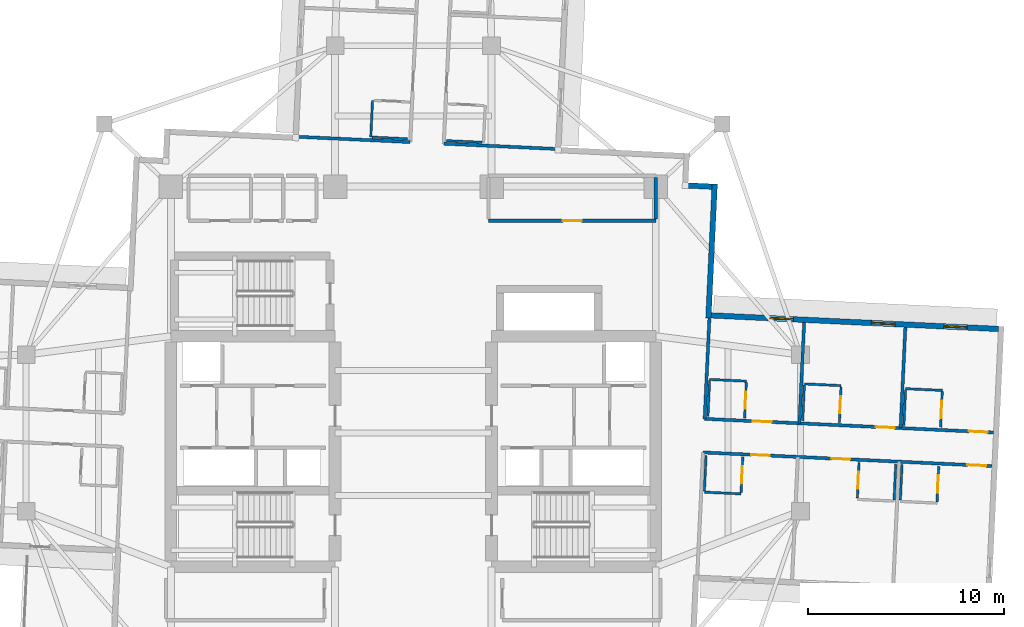
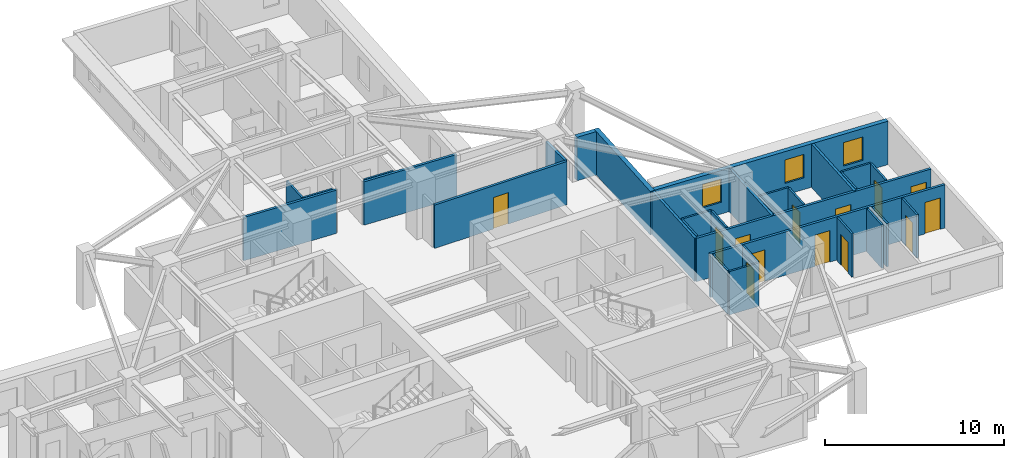
# One storey, part 7 of 14: 31 walls, 13 doors, 3 windows, 16 openings.
"""IFC4 building model written with IfcOpenShell, lengths in metres."""

from ifc_helpers import new_model, si_unit, direction, frame, frame_2d, origin, place, context, subcontext, project, spatial, rectangle, extrude, material, layer, layer_set, type_object, element, fill, save


model = new_model("IFC4")

# Units and contexts
model_context = context("Model", 3, precision=1e-05, world=origin(), true_north=direction((0.0, 1.0)))
body_context = subcontext(model_context, "Body", "Model", "MODEL_VIEW")
ifc_project = project(units=[si_unit("LENGTHUNIT", "METRE"), si_unit("AREAUNIT", "SQUARE_METRE"), si_unit("VOLUMEUNIT", "CUBIC_METRE"), si_unit("PLANEANGLEUNIT", "RADIAN"), si_unit("MASSUNIT", "GRAM", prefix="KILO")], contexts=[model_context])

# Site, building, storey
site_placement = place(None, origin())
site = spatial("IfcSite", under=ifc_project, at=site_placement, CompositionType="ELEMENT")
building_placement = place(site_placement, origin())
building = spatial("IfcBuilding", under=site, at=building_placement, Name="Qingluan Cross Belvedere", CompositionType="ELEMENT")
storey_placement = place(building_placement, frame((0.0, 0.0, 156.60009765625)))
storey = spatial("IfcBuildingStorey", under=building, at=storey_placement, Name="L39", CompositionType="ELEMENT", Elevation=156.60009765625)

# Wall, opening, door
ifc_material_1 = material(Name="Gypsum plasterboard on steel stud acoustic partition", Category="steel")
ifc_layer_1 = layer(ifc_material_1, 0.159912109375, Name="CorridorPartition_160")
ifc_layer_set_1 = layer_set([ifc_layer_1], Name="Gypsum plasterboard on steel stud acoustic partition")
wall_type_1 = type_object("IfcWallType", Name="CorridorPartition_160", PredefinedType="PARTITIONING", material=ifc_layer_set_1)
wall_1_placement = place(storey_placement, frame((3.85009765625, 10.85009765625, 0.0), z_axis=(0.0, 0.0, 1.0), x_axis=(1.0, 0.0, 0.0)))
wall_1 = element("IfcWall", 1, at=wall_1_placement, inside=storey, type_object=wall_type_1, Name="Partition L39:q_ne:S", PredefinedType="PARTITIONING", context=body_context, shape_type="SweptSolid", body=[
    extrude(rectangle(XDim=8.5498046875, YDim=0.159912109375, at=frame_2d((4.27490234375, 0.0))), origin(), (0.0, 0.0, 1.0), 2.9599609375),
])
opening_1_placement = place(wall_1_placement, frame((3.794921875, 0.0, 0.0)))
opening_1 = element("IfcOpeningElement", 2, at=opening_1_placement, cuts=wall_1, Name="Opening GD-10", PredefinedType="OPENING", context=body_context, shape_type="SweptSolid", body=[
    extrude(rectangle(XDim=0.9599609375, YDim=2.14990234375, at=frame_2d((0.47998046875, 1.074951171875))), frame((0.0, 0.08984375, 0.0), z_axis=(0.0, -1.0, 0.0), x_axis=(1.0, 0.0, 0.0)), (0.0, 0.0, 1.0), 0.179931640625),
])
ifc_material_2 = material(Name="Timber oak fire-rated acoustic guestroom door", Category="wood")
door_type_1 = type_object("IfcDoorType", Name="GuestEntryDoor_FD60", OperationType="NOTDEFINED", PredefinedType="DOOR", material=ifc_material_2)
door_1_placement = place(opening_1_placement, origin())
door_1 = element("IfcDoor", 3, at=door_1_placement, inside=storey, type_object=door_type_1, Name="Yangtze view dining salon L39 door", OperationType="SINGLE_SWING_LEFT", OverallHeight=2.14990234375, OverallWidth=0.9599609375, PredefinedType="DOOR", context=body_context, shape_type="SweptSolid", body=[
    extrude(rectangle(XDim=0.9599609375, YDim=2.14990234375, at=frame_2d((0.47998046875, 1.074951171875))), frame((0.0, 0.02490234375, 0.0), z_axis=(0.0, -1.0, 0.0), x_axis=(1.0, 0.0, 0.0)), (0.0, 0.0, 1.0), 0.050048828125),
])
fill(opening_1, door_1)

# Wall
wall_2_placement = place(storey_placement, frame((12.39990234375, 10.93505859375, 0.0), z_axis=(0.0, 0.0, 1.0), x_axis=(0.0, 1.0, 0.0)))
element("IfcWall", 4, at=wall_2_placement, inside=storey, type_object=wall_type_1, Name="Partition L39:q_ne:E", PredefinedType="PARTITIONING", context=body_context, shape_type="SweptSolid", body=[
    extrude(rectangle(XDim=2.1298828125, YDim=0.159912109375, at=frame_2d((1.06494140625, 0.0))), origin(), (0.0, 0.0, 1.0), 2.9599609375),
])

# Wall, openings, doors
wall_3_placement = place(storey_placement, frame((14.900390625, 0.718994140625, 0.0), z_axis=(0.0, 0.0, 1.0), x_axis=(0.99889000272, -0.04710374153, 0.0)))
wall_3 = element("IfcWall", 5, at=wall_3_placement, inside=storey, type_object=wall_type_1, Name="Partition L39:E:c0", PredefinedType="PARTITIONING", context=body_context, shape_type="SweptSolid", body=[
    extrude(rectangle(XDim=14.781982421875, YDim=0.159912109375, at=frame_2d((7.39111328125, 0.0))), origin(), (0.0, 0.0, 1.0), 2.9599609375),
])
opening_2_placement = place(wall_3_placement, frame((2.465087890625, 0.0, 0.0)))
opening_2 = element("IfcOpeningElement", 6, at=opening_2_placement, cuts=wall_3, Name="Opening GD-10", PredefinedType="OPENING", context=body_context, shape_type="SweptSolid", body=[
    extrude(rectangle(XDim=0.9599609375, YDim=2.14990234375, at=frame_2d((0.47998046875, 1.074951171875))), frame((0.0, 0.08984375, 0.0), z_axis=(0.0, -1.0, 0.0), x_axis=(1.0, 0.0, 0.0)), (0.0, 0.0, 1.0), 0.179931640625),
])
opening_3_placement = place(wall_3_placement, frame((8.77294921875, 0.0, 0.0)))
opening_3 = element("IfcOpeningElement", 7, at=opening_3_placement, cuts=wall_3, Name="Opening GD-10", PredefinedType="OPENING", context=body_context, shape_type="SweptSolid", body=[
    extrude(rectangle(XDim=0.9599609375, YDim=2.14990234375, at=frame_2d((0.47998046875, 1.074951171875))), frame((0.0, 0.08984375, 0.0), z_axis=(0.0, -1.0, 0.0), x_axis=(1.0, 0.0, 0.0)), (0.0, 0.0, 1.0), 0.179931640625),
])
opening_4_placement = place(wall_3_placement, frame((13.530029296875, 0.0, 0.0)))
opening_4 = element("IfcOpeningElement", 8, at=opening_4_placement, cuts=wall_3, Name="Opening GD-10", PredefinedType="OPENING", context=body_context, shape_type="SweptSolid", body=[
    extrude(rectangle(XDim=0.9599609375, YDim=2.14990234375, at=frame_2d((0.47998046875, 1.074951171875))), frame((0.0, 0.08984375, 0.0), z_axis=(0.0, -1.0, 0.0), x_axis=(1.0, 0.0, 0.0)), (0.0, 0.0, 1.0), 0.179931640625),
])
door_2_placement = place(opening_2_placement, origin())
door_2 = element("IfcDoor", 9, at=door_2_placement, inside=storey, type_object=door_type_1, Name="Guest entry fire door 3901", OperationType="SINGLE_SWING_RIGHT", OverallHeight=2.14990234375, OverallWidth=0.9599609375, PredefinedType="DOOR", context=body_context, shape_type="SweptSolid", body=[
    extrude(rectangle(XDim=0.9599609375, YDim=2.14990234375, at=frame_2d((0.47998046875, 1.074951171875))), frame((0.0, 0.02490234375, 0.0), z_axis=(0.0, -1.0, 0.0), x_axis=(1.0, 0.0, 0.0)), (0.0, 0.0, 1.0), 0.050048828125),
])
fill(opening_2, door_2)
door_3_placement = place(opening_3_placement, origin())
door_3 = element("IfcDoor", 10, at=door_3_placement, inside=storey, type_object=door_type_1, Name="Guest entry fire door 3902", OperationType="SINGLE_SWING_RIGHT", OverallHeight=2.14990234375, OverallWidth=0.9599609375, PredefinedType="DOOR", context=body_context, shape_type="SweptSolid", body=[
    extrude(rectangle(XDim=0.9599609375, YDim=2.14990234375, at=frame_2d((0.47998046875, 1.074951171875))), frame((0.0, 0.02490234375, 0.0), z_axis=(0.0, -1.0, 0.0), x_axis=(1.0, 0.0, 0.0)), (0.0, 0.0, 1.0), 0.050048828125),
])
fill(opening_3, door_3)
door_4_placement = place(opening_4_placement, origin())
door_4 = element("IfcDoor", 11, at=door_4_placement, inside=storey, type_object=door_type_1, Name="Guest entry fire door 3903", OperationType="SINGLE_SWING_RIGHT", OverallHeight=2.14990234375, OverallWidth=0.9599609375, PredefinedType="DOOR", context=body_context, shape_type="SweptSolid", body=[
    extrude(rectangle(XDim=0.9599609375, YDim=2.14990234375, at=frame_2d((0.47998046875, 1.074951171875))), frame((0.0, 0.02490234375, 0.0), z_axis=(0.0, -1.0, 0.0), x_axis=(1.0, 0.0, 0.0)), (0.0, 0.0, 1.0), 0.050048828125),
])
fill(opening_4, door_4)

# Walls
wall_4_placement = place(storey_placement, frame((14.900390625, 0.718994140625, 0.0), z_axis=(0.0, 0.0, 1.0), x_axis=(0.047103594553, 0.998890009651, 0.0)))
element("IfcWall", 12, at=wall_4_placement, inside=storey, type_object=wall_type_1, Name="Partition L39:E:s0", PredefinedType="PARTITIONING", context=body_context, shape_type="SweptSolid", body=[
    extrude(rectangle(XDim=5.15185546875, YDim=0.159912109375, at=frame_2d((2.575927734375, 0.0))), origin(), (0.0, 0.0, 1.0), 2.9599609375),
])
wall_5_placement = place(storey_placement, frame((19.7470703125, 0.490234375, 0.0), z_axis=(0.0, 0.0, 1.0), x_axis=(0.047101364995, 0.998890114785, 0.0)))
element("IfcWall", 13, at=wall_5_placement, inside=storey, type_object=wall_type_1, Name="Partition L39:E:d0_0", PredefinedType="PARTITIONING", context=body_context, shape_type="SweptSolid", body=[
    extrude(rectangle(XDim=5.152099609375, YDim=0.159912109375, at=frame_2d((2.576171875, 0.0))), origin(), (0.0, 0.0, 1.0), 2.9599609375),
])
wall_6_placement = place(storey_placement, frame((24.92236328125, 0.246337890625, 0.0), z_axis=(0.0, 0.0, 1.0), x_axis=(0.047056311615, 0.9988922382, 0.0)))
element("IfcWall", 14, at=wall_6_placement, inside=storey, type_object=wall_type_1, Name="Partition L39:E:d0_1", PredefinedType="PARTITIONING", context=body_context, shape_type="SweptSolid", body=[
    extrude(rectangle(XDim=5.15185546875, YDim=0.159912109375, at=frame_2d((2.575927734375, 0.0))), origin(), (0.0, 0.0, 1.0), 2.9599609375),
])

# Wall, openings, doors
wall_7_placement = place(storey_placement, frame((14.8193359375, -0.999267578125, 0.0), z_axis=(0.0, 0.0, 1.0), x_axis=(0.99889000272, -0.04710374153, 0.0)))
wall_7 = element("IfcWall", 15, at=wall_7_placement, inside=storey, type_object=wall_type_1, Name="Partition L39:E:c1", PredefinedType="PARTITIONING", context=body_context, shape_type="SweptSolid", body=[
    extrude(rectangle(XDim=14.781982421875, YDim=0.159912109375, at=frame_2d((7.39111328125, 0.0))), origin(), (0.0, 0.0, 1.0), 2.9599609375),
])
opening_5_placement = place(wall_7_placement, frame((2.465087890625, 0.0, 0.0)))
opening_5 = element("IfcOpeningElement", 16, at=opening_5_placement, cuts=wall_7, Name="Opening GD-10", PredefinedType="OPENING", context=body_context, shape_type="SweptSolid", body=[
    extrude(rectangle(XDim=0.9599609375, YDim=2.14990234375, at=frame_2d((0.47998046875, 1.074951171875))), frame((0.0, 0.08984375, 0.0), z_axis=(0.0, -1.0, 0.0), x_axis=(1.0, 0.0, 0.0)), (0.0, 0.0, 1.0), 0.179931640625),
])
opening_6_placement = place(wall_7_placement, frame((6.574951171875, 0.0, 0.0)))
opening_6 = element("IfcOpeningElement", 17, at=opening_6_placement, cuts=wall_7, Name="Opening GD-10", PredefinedType="OPENING", context=body_context, shape_type="SweptSolid", body=[
    extrude(rectangle(XDim=0.9599609375, YDim=2.14990234375, at=frame_2d((0.47998046875, 1.074951171875))), frame((0.0, 0.08984375, 0.0), z_axis=(0.0, -1.0, 0.0), x_axis=(1.0, 0.0, 0.0)), (0.0, 0.0, 1.0), 0.179931640625),
])
opening_7_placement = place(wall_7_placement, frame((13.530029296875, 0.0, 0.0)))
opening_7 = element("IfcOpeningElement", 18, at=opening_7_placement, cuts=wall_7, Name="Opening GD-10", PredefinedType="OPENING", context=body_context, shape_type="SweptSolid", body=[
    extrude(rectangle(XDim=0.9599609375, YDim=2.14990234375, at=frame_2d((0.47998046875, 1.074951171875))), frame((0.0, 0.08984375, 0.0), z_axis=(0.0, -1.0, 0.0), x_axis=(1.0, 0.0, 0.0)), (0.0, 0.0, 1.0), 0.179931640625),
])
door_5_placement = place(opening_5_placement, origin())
door_5 = element("IfcDoor", 19, at=door_5_placement, inside=storey, type_object=door_type_1, Name="Guest entry fire door 3904", OperationType="SINGLE_SWING_RIGHT", OverallHeight=2.14990234375, OverallWidth=0.9599609375, PredefinedType="DOOR", context=body_context, shape_type="SweptSolid", body=[
    extrude(rectangle(XDim=0.9599609375, YDim=2.14990234375, at=frame_2d((0.47998046875, 1.074951171875))), frame((0.0, 0.02490234375, 0.0), z_axis=(0.0, -1.0, 0.0), x_axis=(1.0, 0.0, 0.0)), (0.0, 0.0, 1.0), 0.050048828125),
])
fill(opening_5, door_5)
door_6_placement = place(opening_6_placement, origin())
door_6 = element("IfcDoor", 20, at=door_6_placement, inside=storey, type_object=door_type_1, Name="Guest entry fire door 3905", OperationType="SINGLE_SWING_RIGHT", OverallHeight=2.14990234375, OverallWidth=0.9599609375, PredefinedType="DOOR", context=body_context, shape_type="SweptSolid", body=[
    extrude(rectangle(XDim=0.9599609375, YDim=2.14990234375, at=frame_2d((0.47998046875, 1.074951171875))), frame((0.0, 0.02490234375, 0.0), z_axis=(0.0, -1.0, 0.0), x_axis=(1.0, 0.0, 0.0)), (0.0, 0.0, 1.0), 0.050048828125),
])
fill(opening_6, door_6)
door_7_placement = place(opening_7_placement, origin())
door_7 = element("IfcDoor", 21, at=door_7_placement, inside=storey, type_object=door_type_1, Name="Guest entry fire door 3906", OperationType="SINGLE_SWING_RIGHT", OverallHeight=2.14990234375, OverallWidth=0.9599609375, PredefinedType="DOOR", context=body_context, shape_type="SweptSolid", body=[
    extrude(rectangle(XDim=0.9599609375, YDim=2.14990234375, at=frame_2d((0.47998046875, 1.074951171875))), frame((0.0, 0.02490234375, 0.0), z_axis=(0.0, -1.0, 0.0), x_axis=(1.0, 0.0, 0.0)), (0.0, 0.0, 1.0), 0.050048828125),
])
fill(opening_7, door_7)

# Walls
for number, where, z_axis, x_axis, name in (
    (22, (1.55859375, 14.79296875, 0.0), (0.0, 0.0, 1.0), (0.998891206556, -0.047078205848, 0.0), "Partition L39:N:s0"),
    (23, (-0.159423828125, 14.8740234375, 0.0), (0.0, 0.0, 1.0), (-0.998889246491, 0.047119775516, 0.0), "Partition L39:N:s1"),
):
    element("IfcWall", number, at=place(storey_placement, frame(where, z_axis=z_axis, x_axis=x_axis)), inside=storey, type_object=wall_type_1, Name=name, PredefinedType="PARTITIONING", context=body_context, shape_type="SweptSolid", body=[
        extrude(rectangle(XDim=5.860107421875, YDim=0.159912109375, at=frame_2d((2.93017578125, 0.0))), origin(), (0.0, 0.0, 1.0), 2.9599609375),
    ])

# Wall, opening, door
ifc_material_3 = material(Name="Moisture-resistant gypsum board lining")
ifc_layer_2 = layer(ifc_material_3, 0.1201171875, Name="EnsuiteWetPartition_120")
ifc_layer_set_2 = layer_set([ifc_layer_2], Name="Moisture-resistant gypsum board lining")
wall_type_2 = type_object("IfcWallType", Name="EnsuiteWetPartition_120", PredefinedType="PARTITIONING", material=ifc_layer_set_2)
wall_8_placement = place(storey_placement, frame((16.944580078125, 0.7626953125, 0.0), z_axis=(0.0, 0.0, 1.0), x_axis=(0.047220968666, 0.998884467853, 0.0)))
wall_8 = element("IfcWall", 24, at=wall_8_placement, inside=storey, type_object=wall_type_2, Name="Partition L39:E:bs0_0", PredefinedType="PARTITIONING", context=body_context, shape_type="SweptSolid", body=[
    extrude(rectangle(XDim=1.81982421875, YDim=0.1201171875, at=frame_2d((0.909912109375, 0.0))), origin(), (0.0, 0.0, 1.0), 2.9599609375),
])
opening_8_placement = place(wall_8_placement, frame((0.469970703125, 0.0, 0.0)))
opening_8 = element("IfcOpeningElement", 25, at=opening_8_placement, cuts=wall_8, Name="Opening BD-09", PredefinedType="OPENING", context=body_context, shape_type="SweptSolid", body=[
    extrude(rectangle(XDim=0.8798828125, YDim=2.10009765625, at=frame_2d((0.43994140625, 1.050048828125))), frame((0.0, 0.070068359375, 0.0), z_axis=(0.0, -1.0, 0.0), x_axis=(1.0, 0.0, 0.0)), (0.0, 0.0, 1.0), 0.14013671875),
])
ifc_material_4 = material(Name="Moisture-sealed timber en-suite door", Category="wood")
door_type_2 = type_object("IfcDoorType", Name="BathroomDoor_880", OperationType="NOTDEFINED", PredefinedType="DOOR", material=ifc_material_4)
door_8_placement = place(opening_8_placement, origin())
door_8 = element("IfcDoor", 26, at=door_8_placement, inside=storey, type_object=door_type_2, Name="Bathroom door 3901", OperationType="SINGLE_SWING_LEFT", OverallHeight=2.10009765625, OverallWidth=0.8798828125, PredefinedType="DOOR", context=body_context, shape_type="SweptSolid", body=[
    extrude(rectangle(XDim=0.8798828125, YDim=2.10009765625, at=frame_2d((0.43994140625, 1.050048828125))), frame((0.0, 0.02490234375, 0.0), z_axis=(0.0, -1.0, 0.0), x_axis=(1.0, 0.0, 0.0)), (0.0, 0.0, 1.0), 0.050048828125),
])
fill(opening_8, door_8)

# Walls
wall_9_placement = place(storey_placement, frame((15.06689453125, 0.851318359375, 0.0), z_axis=(0.0, 0.0, 1.0), x_axis=(0.047087116047, 0.998890786574, 0.0)))
element("IfcWall", 27, at=wall_9_placement, inside=storey, type_object=wall_type_2, Name="Partition L39:E:bw0_0", PredefinedType="PARTITIONING", context=body_context, shape_type="SweptSolid", body=[
    extrude(rectangle(XDim=1.81982421875, YDim=0.1201171875, at=frame_2d((0.909912109375, 0.0))), origin(), (0.0, 0.0, 1.0), 2.9599609375),
])
wall_10_placement = place(storey_placement, frame((15.155517578125, 2.734130859375, 0.0), z_axis=(0.0, 0.0, 1.0), x_axis=(0.998888319371, -0.047139425368, 0.0)))
element("IfcWall", 28, at=wall_10_placement, inside=storey, type_object=wall_type_2, Name="Partition L39:E:bn0_0", PredefinedType="PARTITIONING", context=body_context, shape_type="SweptSolid", body=[
    extrude(rectangle(XDim=1.880126953125, YDim=0.1201171875, at=frame_2d((0.93994140625, 0.0))), origin(), (0.0, 0.0, 1.0), 2.9599609375),
])

# Wall, opening, door
wall_11_placement = place(storey_placement, frame((21.791259765625, 0.5341796875, 0.0), z_axis=(0.0, 0.0, 1.0), x_axis=(0.047220968666, 0.998884467853, 0.0)))
wall_11 = element("IfcWall", 29, at=wall_11_placement, inside=storey, type_object=wall_type_2, Name="Partition L39:E:bs0_1", PredefinedType="PARTITIONING", context=body_context, shape_type="SweptSolid", body=[
    extrude(rectangle(XDim=1.81982421875, YDim=0.1201171875, at=frame_2d((0.909912109375, 0.0))), origin(), (0.0, 0.0, 1.0), 2.9599609375),
])
opening_9_placement = place(wall_11_placement, frame((0.469970703125, 0.0, 0.0)))
opening_9 = element("IfcOpeningElement", 30, at=opening_9_placement, cuts=wall_11, Name="Opening BD-09", PredefinedType="OPENING", context=body_context, shape_type="SweptSolid", body=[
    extrude(rectangle(XDim=0.8798828125, YDim=2.10009765625, at=frame_2d((0.43994140625, 1.050048828125))), frame((0.0, 0.070068359375, 0.0), z_axis=(0.0, -1.0, 0.0), x_axis=(1.0, 0.0, 0.0)), (0.0, 0.0, 1.0), 0.14013671875),
])
door_9_placement = place(opening_9_placement, origin())
door_9 = element("IfcDoor", 31, at=door_9_placement, inside=storey, type_object=door_type_2, Name="Bathroom door 3902", OperationType="SINGLE_SWING_LEFT", OverallHeight=2.10009765625, OverallWidth=0.8798828125, PredefinedType="DOOR", context=body_context, shape_type="SweptSolid", body=[
    extrude(rectangle(XDim=0.8798828125, YDim=2.10009765625, at=frame_2d((0.43994140625, 1.050048828125))), frame((0.0, 0.02490234375, 0.0), z_axis=(0.0, -1.0, 0.0), x_axis=(1.0, 0.0, 0.0)), (0.0, 0.0, 1.0), 0.050048828125),
])
fill(opening_9, door_9)

# Walls
wall_12_placement = place(storey_placement, frame((19.913330078125, 0.62255859375, 0.0), z_axis=(0.0, 0.0, 1.0), x_axis=(0.047214641863, 0.998884766924, 0.0)))
element("IfcWall", 32, at=wall_12_placement, inside=storey, type_object=wall_type_2, Name="Partition L39:E:bw0_1", PredefinedType="PARTITIONING", context=body_context, shape_type="SweptSolid", body=[
    extrude(rectangle(XDim=1.820068359375, YDim=0.1201171875, at=frame_2d((0.91015625, 0.0))), origin(), (0.0, 0.0, 1.0), 2.9599609375),
])
wall_13_placement = place(storey_placement, frame((20.002197265625, 2.505615234375, 0.0), z_axis=(0.0, 0.0, 1.0), x_axis=(0.998888319371, -0.047139425368, 0.0)))
element("IfcWall", 33, at=wall_13_placement, inside=storey, type_object=wall_type_2, Name="Partition L39:E:bn0_1", PredefinedType="PARTITIONING", context=body_context, shape_type="SweptSolid", body=[
    extrude(rectangle(XDim=1.880126953125, YDim=0.1201171875, at=frame_2d((0.93994140625, 0.0))), origin(), (0.0, 0.0, 1.0), 2.9599609375),
])

# Wall, opening, door
wall_14_placement = place(storey_placement, frame((26.966552734375, 0.2900390625, 0.0), z_axis=(0.0, 0.0, 1.0), x_axis=(0.047087116047, 0.998890786574, 0.0)))
wall_14 = element("IfcWall", 34, at=wall_14_placement, inside=storey, type_object=wall_type_2, Name="Partition L39:E:bs0_2", PredefinedType="PARTITIONING", context=body_context, shape_type="SweptSolid", body=[
    extrude(rectangle(XDim=1.81982421875, YDim=0.1201171875, at=frame_2d((0.909912109375, 0.0))), origin(), (0.0, 0.0, 1.0), 2.9599609375),
])
opening_10_placement = place(wall_14_placement, frame((0.469970703125, 0.0, 0.0)))
opening_10 = element("IfcOpeningElement", 35, at=opening_10_placement, cuts=wall_14, Name="Opening BD-09", PredefinedType="OPENING", context=body_context, shape_type="SweptSolid", body=[
    extrude(rectangle(XDim=0.8798828125, YDim=2.10009765625, at=frame_2d((0.43994140625, 1.050048828125))), frame((0.0, 0.070068359375, 0.0), z_axis=(0.0, -1.0, 0.0), x_axis=(1.0, 0.0, 0.0)), (0.0, 0.0, 1.0), 0.14013671875),
])
door_10_placement = place(opening_10_placement, origin())
door_10 = element("IfcDoor", 36, at=door_10_placement, inside=storey, type_object=door_type_2, Name="Bathroom door 3903", OperationType="SINGLE_SWING_LEFT", OverallHeight=2.10009765625, OverallWidth=0.8798828125, PredefinedType="DOOR", context=body_context, shape_type="SweptSolid", body=[
    extrude(rectangle(XDim=0.8798828125, YDim=2.10009765625, at=frame_2d((0.43994140625, 1.050048828125))), frame((0.0, 0.02490234375, 0.0), z_axis=(0.0, -1.0, 0.0), x_axis=(1.0, 0.0, 0.0)), (0.0, 0.0, 1.0), 0.050048828125),
])
fill(opening_10, door_10)

# Walls
wall_15_placement = place(storey_placement, frame((25.088623046875, 0.378662109375, 0.0), z_axis=(0.0, 0.0, 1.0), x_axis=(0.047087116047, 0.998890786574, 0.0)))
element("IfcWall", 37, at=wall_15_placement, inside=storey, type_object=wall_type_2, Name="Partition L39:E:bw0_2", PredefinedType="PARTITIONING", context=body_context, shape_type="SweptSolid", body=[
    extrude(rectangle(XDim=1.81982421875, YDim=0.1201171875, at=frame_2d((0.909912109375, 0.0))), origin(), (0.0, 0.0, 1.0), 2.9599609375),
])
wall_16_placement = place(storey_placement, frame((25.177490234375, 2.261474609375, 0.0), z_axis=(0.0, 0.0, 1.0), x_axis=(0.998888319371, -0.047139425368, 0.0)))
element("IfcWall", 38, at=wall_16_placement, inside=storey, type_object=wall_type_2, Name="Partition L39:E:bn0_2", PredefinedType="PARTITIONING", context=body_context, shape_type="SweptSolid", body=[
    extrude(rectangle(XDim=1.880126953125, YDim=0.1201171875, at=frame_2d((0.93994140625, 0.0))), origin(), (0.0, 0.0, 1.0), 2.9599609375),
])

# Wall, opening, door
wall_17_placement = place(storey_placement, frame((16.764892578125, -3.052978515625, 0.0), z_axis=(0.0, 0.0, 1.0), x_axis=(0.047087116047, 0.998890786574, 0.0)))
wall_17 = element("IfcWall", 39, at=wall_17_placement, inside=storey, type_object=wall_type_2, Name="Partition L39:E:bs1_0", PredefinedType="PARTITIONING", context=body_context, shape_type="SweptSolid", body=[
    extrude(rectangle(XDim=1.81982421875, YDim=0.1201171875, at=frame_2d((0.909912109375, 0.0))), origin(), (0.0, 0.0, 1.0), 2.9599609375),
])
opening_11_placement = place(wall_17_placement, frame((0.469970703125, 0.0, 0.0)))
opening_11 = element("IfcOpeningElement", 40, at=opening_11_placement, cuts=wall_17, Name="Opening BD-09", PredefinedType="OPENING", context=body_context, shape_type="SweptSolid", body=[
    extrude(rectangle(XDim=0.8798828125, YDim=2.10009765625, at=frame_2d((0.43994140625, 1.050048828125))), frame((0.0, 0.070068359375, 0.0), z_axis=(0.0, -1.0, 0.0), x_axis=(1.0, 0.0, 0.0)), (0.0, 0.0, 1.0), 0.14013671875),
])
door_11_placement = place(opening_11_placement, origin())
door_11 = element("IfcDoor", 41, at=door_11_placement, inside=storey, type_object=door_type_2, Name="Bathroom door 3904", OperationType="SINGLE_SWING_LEFT", OverallHeight=2.10009765625, OverallWidth=0.8798828125, PredefinedType="DOOR", context=body_context, shape_type="SweptSolid", body=[
    extrude(rectangle(XDim=0.8798828125, YDim=2.10009765625, at=frame_2d((0.43994140625, 1.050048828125))), frame((0.0, 0.02490234375, 0.0), z_axis=(0.0, -1.0, 0.0), x_axis=(1.0, 0.0, 0.0)), (0.0, 0.0, 1.0), 0.050048828125),
])
fill(opening_11, door_11)

# Walls
wall_18_placement = place(storey_placement, frame((14.886962890625, -2.964599609375, 0.0), z_axis=(0.0, 0.0, 1.0), x_axis=(0.047080807099, 0.998891083954, 0.0)))
element("IfcWall", 42, at=wall_18_placement, inside=storey, type_object=wall_type_2, Name="Partition L39:E:bw1_0", PredefinedType="PARTITIONING", context=body_context, shape_type="SweptSolid", body=[
    extrude(rectangle(XDim=1.820068359375, YDim=0.1201171875, at=frame_2d((0.91015625, 0.0))), origin(), (0.0, 0.0, 1.0), 2.9599609375),
])
wall_19_placement = place(storey_placement, frame((14.8837890625, -3.029541015625, 0.0), z_axis=(0.0, 0.0, 1.0), x_axis=(0.998894425757, -0.04700985207, 0.0)))
element("IfcWall", 43, at=wall_19_placement, inside=storey, type_object=wall_type_2, Name="Partition L39:E:bc1_0", PredefinedType="PARTITIONING", context=body_context, shape_type="SweptSolid", body=[
    extrude(rectangle(XDim=1.880126953125, YDim=0.1201171875, at=frame_2d((0.93994140625, 0.0))), origin(), (0.0, 0.0, 1.0), 2.9599609375),
])

# Wall, opening, door
wall_20_placement = place(storey_placement, frame((22.711181640625, -3.33349609375, 0.0), z_axis=(0.0, 0.0, 1.0), x_axis=(0.047087116047, 0.998890786574, 0.0)))
wall_20 = element("IfcWall", 44, at=wall_20_placement, inside=storey, type_object=wall_type_2, Name="Partition L39:E:bs1_1", PredefinedType="PARTITIONING", context=body_context, shape_type="SweptSolid", body=[
    extrude(rectangle(XDim=1.81982421875, YDim=0.1201171875, at=frame_2d((0.909912109375, 0.0))), origin(), (0.0, 0.0, 1.0), 2.9599609375),
])
opening_12_placement = place(wall_20_placement, frame((0.469970703125, 0.0, 0.0)))
opening_12 = element("IfcOpeningElement", 45, at=opening_12_placement, cuts=wall_20, Name="Opening BD-09", PredefinedType="OPENING", context=body_context, shape_type="SweptSolid", body=[
    extrude(rectangle(XDim=0.8798828125, YDim=2.10009765625, at=frame_2d((0.43994140625, 1.050048828125))), frame((0.0, 0.070068359375, 0.0), z_axis=(0.0, -1.0, 0.0), x_axis=(1.0, 0.0, 0.0)), (0.0, 0.0, 1.0), 0.14013671875),
])
door_12_placement = place(opening_12_placement, origin())
door_12 = element("IfcDoor", 46, at=door_12_placement, inside=storey, type_object=door_type_2, Name="Bathroom door 3905", OperationType="SINGLE_SWING_LEFT", OverallHeight=2.10009765625, OverallWidth=0.8798828125, PredefinedType="DOOR", context=body_context, shape_type="SweptSolid", body=[
    extrude(rectangle(XDim=0.8798828125, YDim=2.10009765625, at=frame_2d((0.43994140625, 1.050048828125))), frame((0.0, 0.02490234375, 0.0), z_axis=(0.0, -1.0, 0.0), x_axis=(1.0, 0.0, 0.0)), (0.0, 0.0, 1.0), 0.050048828125),
])
fill(opening_12, door_12)

# Wall
wall_21_placement = place(storey_placement, frame((24.589111328125, -3.422119140625, 0.0), z_axis=(0.0, 0.0, 1.0), x_axis=(0.047080807099, 0.998891083954, 0.0)))
element("IfcWall", 47, at=wall_21_placement, inside=storey, type_object=wall_type_2, Name="Partition L39:E:bw1_1", PredefinedType="PARTITIONING", context=body_context, shape_type="SweptSolid", body=[
    extrude(rectangle(XDim=1.820068359375, YDim=0.1201171875, at=frame_2d((0.91015625, 0.0))), origin(), (0.0, 0.0, 1.0), 2.9599609375),
])

# Wall, opening, door
wall_22_placement = place(storey_placement, frame((26.78662109375, -3.525634765625, 0.0), z_axis=(0.0, 0.0, 1.0), x_axis=(0.047087116047, 0.998890786574, 0.0)))
wall_22 = element("IfcWall", 48, at=wall_22_placement, inside=storey, type_object=wall_type_2, Name="Partition L39:E:bs1_2", PredefinedType="PARTITIONING", context=body_context, shape_type="SweptSolid", body=[
    extrude(rectangle(XDim=1.81982421875, YDim=0.1201171875, at=frame_2d((0.909912109375, 0.0))), origin(), (0.0, 0.0, 1.0), 2.9599609375),
])
opening_13_placement = place(wall_22_placement, frame((0.469970703125, 0.0, 0.0)))
opening_13 = element("IfcOpeningElement", 49, at=opening_13_placement, cuts=wall_22, Name="Opening BD-09", PredefinedType="OPENING", context=body_context, shape_type="SweptSolid", body=[
    extrude(rectangle(XDim=0.8798828125, YDim=2.10009765625, at=frame_2d((0.43994140625, 1.050048828125))), frame((0.0, 0.070068359375, 0.0), z_axis=(0.0, -1.0, 0.0), x_axis=(1.0, 0.0, 0.0)), (0.0, 0.0, 1.0), 0.14013671875),
])
door_13_placement = place(opening_13_placement, origin())
door_13 = element("IfcDoor", 50, at=door_13_placement, inside=storey, type_object=door_type_2, Name="Bathroom door 3906", OperationType="SINGLE_SWING_LEFT", OverallHeight=2.10009765625, OverallWidth=0.8798828125, PredefinedType="DOOR", context=body_context, shape_type="SweptSolid", body=[
    extrude(rectangle(XDim=0.8798828125, YDim=2.10009765625, at=frame_2d((0.43994140625, 1.050048828125))), frame((0.0, 0.02490234375, 0.0), z_axis=(0.0, -1.0, 0.0), x_axis=(1.0, 0.0, 0.0)), (0.0, 0.0, 1.0), 0.050048828125),
])
fill(opening_13, door_13)

# Walls
wall_23_placement = place(storey_placement, frame((24.90869140625, -3.437255859375, 0.0), z_axis=(0.0, 0.0, 1.0), x_axis=(0.047080807099, 0.998891083954, 0.0)))
element("IfcWall", 51, at=wall_23_placement, inside=storey, type_object=wall_type_2, Name="Partition L39:E:bw1_2", PredefinedType="PARTITIONING", context=body_context, shape_type="SweptSolid", body=[
    extrude(rectangle(XDim=1.820068359375, YDim=0.1201171875, at=frame_2d((0.91015625, 0.0))), origin(), (0.0, 0.0, 1.0), 2.9599609375),
])
wall_24_placement = place(storey_placement, frame((1.7060546875, 14.9462890625, 0.0), z_axis=(0.0, 0.0, 1.0), x_axis=(0.998890786574, -0.047087116047, 0.0)))
element("IfcWall", 52, at=wall_24_placement, inside=storey, type_object=wall_type_2, Name="Partition L39:N:bw0_0", PredefinedType="PARTITIONING", context=body_context, shape_type="SweptSolid", body=[
    extrude(rectangle(XDim=1.81982421875, YDim=0.1201171875, at=frame_2d((0.909912109375, 0.0))), origin(), (0.0, 0.0, 1.0), 2.9599609375),
])
wall_25_placement = place(storey_placement, frame((-2.10986328125, 15.126220703125, 0.0), z_axis=(0.0, 0.0, 1.0), x_axis=(0.998884766924, -0.047214641863, 0.0)))
element("IfcWall", 53, at=wall_25_placement, inside=storey, type_object=wall_type_2, Name="Partition L39:N:bw1_0", PredefinedType="PARTITIONING", context=body_context, shape_type="SweptSolid", body=[
    extrude(rectangle(XDim=1.820068359375, YDim=0.1201171875, at=frame_2d((0.91015625, 0.0))), origin(), (0.0, 0.0, 1.0), 2.9599609375),
])
wall_26_placement = place(storey_placement, frame((-2.1748046875, 15.129150390625, 0.0), z_axis=(0.0, 0.0, 1.0), x_axis=(0.047139425368, 0.998888319371, 0.0)))
element("IfcWall", 54, at=wall_26_placement, inside=storey, type_object=wall_type_2, Name="Partition L39:N:bc1_0", PredefinedType="PARTITIONING", context=body_context, shape_type="SweptSolid", body=[
    extrude(rectangle(XDim=1.880126953125, YDim=0.1201171875, at=frame_2d((0.93994140625, 0.0))), origin(), (0.0, 0.0, 1.0), 2.9599609375),
])

# Wall, openings, windows
ifc_material_5 = material(Name="Precast concrete C45", Category="concrete")
ifc_layer_3 = layer(ifc_material_5, 0.280029296875, Name="PrecastFacadeWall_280")
ifc_layer_set_3 = layer_set([ifc_layer_3], Name="Precast concrete C45")
wall_type_3 = type_object("IfcWallType", Name="PrecastFacadeWall_280", PredefinedType="STANDARD", material=ifc_layer_set_3)
wall_27_placement = place(storey_placement, frame((29.923583984375, 5.31640625, 0.0), z_axis=(0.0, 0.0, 1.0), x_axis=(-0.998890124275, 0.047101163748, 0.0)))
wall_27 = element("IfcWall", 55, at=wall_27_placement, inside=storey, type_object=wall_type_3, Name="Facade wall L39-EB", PredefinedType="STANDARD", context=body_context, shape_type="SweptSolid", body=[
    extrude(rectangle(XDim=14.699951171875, YDim=0.280029296875, at=frame_2d((7.35009765625, 0.0))), origin(), (0.0, 0.0, 1.0), 2.969970703125),
])
opening_14_placement = place(wall_27_placement, frame((1.60009765625, 0.0, 0.800048828125)))
opening_14 = element("IfcOpeningElement", 56, at=opening_14_placement, cuts=wall_27, Name="Opening W-02", PredefinedType="OPENING", context=body_context, shape_type="SweptSolid", body=[
    extrude(rectangle(XDim=1.199951171875, YDim=1.60009765625, at=frame_2d((0.60009765625, 0.800048828125))), frame((0.0, 0.14990234375, 0.0), z_axis=(0.0, -1.0, 0.0), x_axis=(1.0, 0.0, 0.0)), (0.0, 0.0, 1.0), 0.300048828125),
])
opening_15_placement = place(wall_27_placement, frame((5.300048828125, 0.0, 0.800048828125)))
opening_15 = element("IfcOpeningElement", 57, at=opening_15_placement, cuts=wall_27, Name="Opening W-02", PredefinedType="OPENING", context=body_context, shape_type="SweptSolid", body=[
    extrude(rectangle(XDim=1.199951171875, YDim=1.60009765625, at=frame_2d((0.60009765625, 0.800048828125))), frame((0.0, 0.14990234375, 0.0), z_axis=(0.0, -1.0, 0.0), x_axis=(1.0, 0.0, 0.0)), (0.0, 0.0, 1.0), 0.300048828125),
])
opening_16_placement = place(wall_27_placement, frame((10.5, 0.0, 0.800048828125)))
opening_16 = element("IfcOpeningElement", 58, at=opening_16_placement, cuts=wall_27, Name="Opening W-02", PredefinedType="OPENING", context=body_context, shape_type="SweptSolid", body=[
    extrude(rectangle(XDim=1.199951171875, YDim=1.60009765625, at=frame_2d((0.60009765625, 0.800048828125))), frame((0.0, 0.14990234375, 0.0), z_axis=(0.0, -1.0, 0.0), x_axis=(1.0, 0.0, 0.0)), (0.0, 0.0, 1.0), 0.300048828125),
])
ifc_material_6 = material(Name="Thermally broken triple Low-E glass in aluminium frame", Category="aluminium")
window_type = type_object("IfcWindowType", Name="TriRibbonWin_1200x1600", PartitioningType="SINGLE_PANEL", PredefinedType="WINDOW", material=ifc_material_6)
window_1_placement = place(opening_14_placement, origin())
window_1 = element("IfcWindow", 59, at=window_1_placement, inside=storey, type_object=window_type, Name="Ribbon window L39-EB-1", OverallHeight=1.60009765625, OverallWidth=1.199951171875, PartitioningType="SINGLE_PANEL", PredefinedType="WINDOW", context=body_context, shape_type="SweptSolid", body=[
    extrude(rectangle(XDim=1.199951171875, YDim=1.60009765625, at=frame_2d((0.60009765625, 0.800048828125))), frame((0.0, 0.030029296875, 0.0), z_axis=(0.0, -1.0, 0.0), x_axis=(1.0, 0.0, 0.0)), (0.0, 0.0, 1.0), 0.06005859375),
])
fill(opening_14, window_1)
window_2_placement = place(opening_15_placement, origin())
window_2 = element("IfcWindow", 60, at=window_2_placement, inside=storey, type_object=window_type, Name="Ribbon window L39-EB-2", OverallHeight=1.60009765625, OverallWidth=1.199951171875, PartitioningType="SINGLE_PANEL", PredefinedType="WINDOW", context=body_context, shape_type="SweptSolid", body=[
    extrude(rectangle(XDim=1.199951171875, YDim=1.60009765625, at=frame_2d((0.60009765625, 0.800048828125))), frame((0.0, 0.030029296875, 0.0), z_axis=(0.0, -1.0, 0.0), x_axis=(1.0, 0.0, 0.0)), (0.0, 0.0, 1.0), 0.06005859375),
])
fill(opening_15, window_2)
window_3_placement = place(opening_16_placement, origin())
window_3 = element("IfcWindow", 61, at=window_3_placement, inside=storey, type_object=window_type, Name="Ribbon window L39-EB-3", OverallHeight=1.60009765625, OverallWidth=1.199951171875, PartitioningType="SINGLE_PANEL", PredefinedType="WINDOW", context=body_context, shape_type="SweptSolid", body=[
    extrude(rectangle(XDim=1.199951171875, YDim=1.60009765625, at=frame_2d((0.60009765625, 0.800048828125))), frame((0.0, 0.030029296875, 0.0), z_axis=(0.0, -1.0, 0.0), x_axis=(1.0, 0.0, 0.0)), (0.0, 0.0, 1.0), 0.06005859375),
])
fill(opening_16, window_3)

# Walls
wall_28_placement = place(storey_placement, frame((15.093505859375, 5.87548828125, 0.0), z_axis=(0.0, 0.0, 1.0), x_axis=(0.04712043756, 0.998889215261, 0.0)))
element("IfcWall", 62, at=wall_28_placement, inside=storey, type_object=wall_type_3, Name="Corner wall L39-NE1", PredefinedType="STANDARD", context=body_context, shape_type="SweptSolid", body=[
    extrude(rectangle(XDim=6.85986328125, YDim=0.280029296875, at=frame_2d((3.429931640625, 0.0))), origin(), (0.0, 0.0, 1.0), 2.969970703125),
])
wall_29_placement = place(storey_placement, frame((15.270263671875, 12.5947265625, 0.0), z_axis=(0.0, 0.0, 1.0), x_axis=(-0.998893795343, 0.047023245574, 0.0)))
element("IfcWall", 63, at=wall_29_placement, inside=storey, type_object=wall_type_3, Name="Corner wall L39-NE2", PredefinedType="STANDARD", context=body_context, shape_type="SweptSolid", body=[
    extrude(rectangle(XDim=1.22021484375, YDim=0.280029296875, at=frame_2d((0.610107421875, 0.0))), origin(), (0.0, 0.0, 1.0), 2.969970703125),
])

save(model, "model.ifc")
